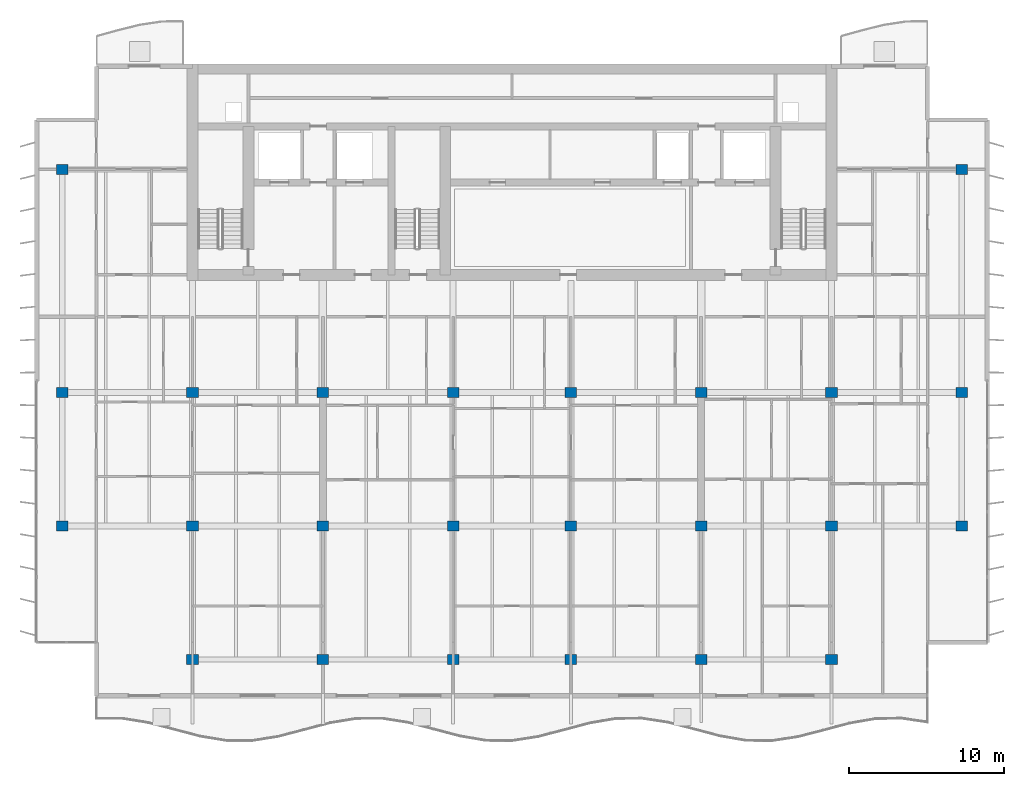
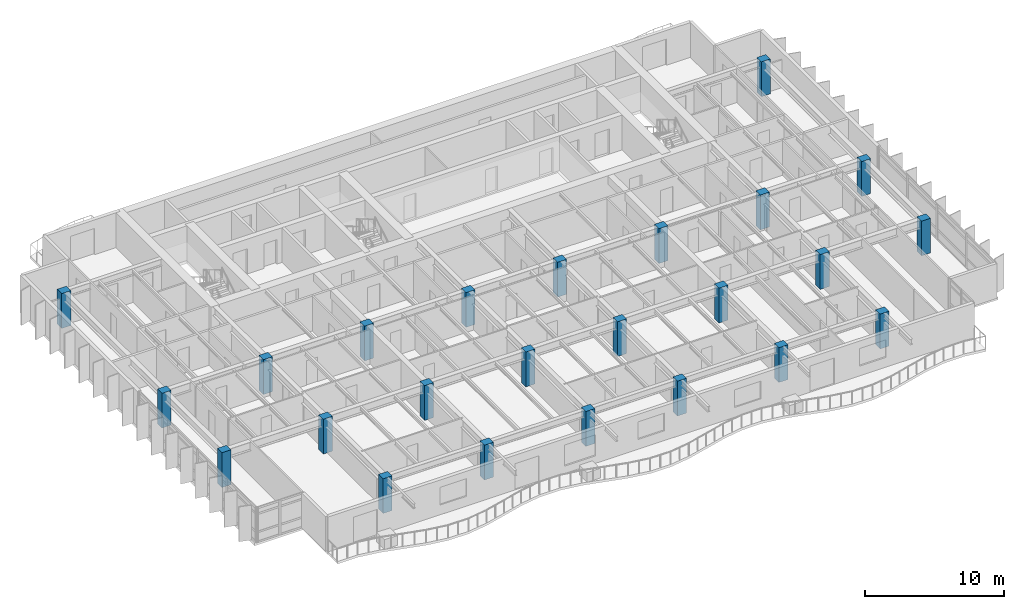
# One storey, part 1 of 19: 24 columns.
"""IFC4 building model written with IfcOpenShell, lengths in metres."""

from ifc_helpers import new_model, si_unit, direction, frame, origin, origin_2d, place, context, subcontext, project, spatial, rectangle, extrude, material, material_profile, profile_set, type_object, element, save


model = new_model("IFC4")

# Units and contexts
model_context = context("Model", 3, precision=1e-05, world=origin(), true_north=direction((0.0, 1.0)))
body_context = subcontext(model_context, "Body", "Model", "MODEL_VIEW")
ifc_project = project(units=[si_unit("LENGTHUNIT", "METRE"), si_unit("AREAUNIT", "SQUARE_METRE"), si_unit("VOLUMEUNIT", "CUBIC_METRE"), si_unit("PLANEANGLEUNIT", "RADIAN"), si_unit("MASSUNIT", "GRAM", prefix="KILO")], contexts=[model_context])

# Site, building, storey
site_placement = place(None, origin())
site = spatial("IfcSite", under=ifc_project, at=site_placement, CompositionType="ELEMENT")
building_placement = place(site_placement, origin())
building = spatial("IfcBuilding", under=site, at=building_placement, Name="Caelmar Bay Residences", CompositionType="ELEMENT")
storey_placement = place(building_placement, frame((0.0, 0.0, 256.199951171875)))
storey = spatial("IfcBuildingStorey", under=building, at=storey_placement, Name="L72", CompositionType="ELEMENT", Elevation=256.199951171875)

# Columns
ifc_material = material(Name="Concrete f'c 55 MPa (8,000 psi)", Category="concrete")
ifc_material_profile = material_profile(ifc_material, rectangle(XDim=0.75, YDim=0.64990234375, at=origin_2d()), Name="RC-COL-750X650")
ifc_profile_set = profile_set([ifc_material_profile], Name="Concrete f'c 55 MPa (8,000 psi)")
column_type = type_object("IfcColumnType", Name="COL-RC-750X650", PredefinedType="COLUMN", material=ifc_profile_set)
for number, where, z_axis, x_axis, name in (
    (1, (18.300048828125, 12.199951171875, 0.0), (0.0, 0.0, 1.0), (1.0, 0.0, 0.0), "L72 Column (18.30,12.20)"),
    (2, (26.699951171875, 12.199951171875, 0.0), (0.0, 0.0, 1.0), (1.0, 0.0, 0.0), "L72 Column (26.70,12.20)"),
    (3, (35.10009765625, 12.199951171875, 0.0), (0.0, 0.0, 1.0), (1.0, 0.0, 0.0), "L72 Column (35.10,12.20)"),
    (4, (42.699951171875, 12.199951171875, 0.0), (0.0, 0.0, 1.0), (1.0, 0.0, 0.0), "L72 Column (42.70,12.20)"),
    (5, (51.10009765625, 12.199951171875, 0.0), (0.0, 0.0, 1.0), (1.0, 0.0, 0.0), "L72 Column (51.10,12.20)"),
    (6, (59.5, 12.199951171875, 0.0), (0.0, 0.0, 1.0), (1.0, 0.0, 0.0), "L72 Column (59.50,12.20)"),
    (7, (9.89990234375, 20.800048828125, 0.0), (0.0, 0.0, 1.0), (1.0, 0.0, 0.0), "L72 Column (9.90,20.80)"),
    (8, (18.300048828125, 20.800048828125, 0.0), (0.0, 0.0, 1.0), (1.0, 0.0, 0.0), "L72 Column (18.30,20.80)"),
    (9, (26.699951171875, 20.800048828125, 0.0), (0.0, 0.0, 1.0), (1.0, 0.0, 0.0), "L72 Column (26.70,20.80)"),
    (10, (35.10009765625, 20.800048828125, 0.0), (0.0, 0.0, 1.0), (1.0, 0.0, 0.0), "L72 Column (35.10,20.80)"),
    (11, (42.699951171875, 20.800048828125, 0.0), (0.0, 0.0, 1.0), (1.0, 0.0, 0.0), "L72 Column (42.70,20.80)"),
    (12, (51.10009765625, 20.800048828125, 0.0), (0.0, 0.0, 1.0), (1.0, 0.0, 0.0), "L72 Column (51.10,20.80)"),
    (13, (59.5, 20.800048828125, 0.0), (0.0, 0.0, 1.0), (1.0, 0.0, 0.0), "L72 Column (59.50,20.80)"),
    (14, (67.89990234375, 20.800048828125, 0.0), (0.0, 0.0, 1.0), (1.0, 0.0, 0.0), "L72 Column (67.90,20.80)"),
    (15, (9.89990234375, 29.39990234375, 0.0), (0.0, 0.0, 1.0), (1.0, 0.0, 0.0), "L72 Column (9.90,29.40)"),
    (16, (18.300048828125, 29.39990234375, 0.0), (0.0, 0.0, 1.0), (1.0, 0.0, 0.0), "L72 Column (18.30,29.40)"),
    (17, (26.699951171875, 29.39990234375, 0.0), (0.0, 0.0, 1.0), (1.0, 0.0, 0.0), "L72 Column (26.70,29.40)"),
    (18, (35.10009765625, 29.39990234375, 0.0), (0.0, 0.0, 1.0), (1.0, 0.0, 0.0), "L72 Column (35.10,29.40)"),
    (19, (42.699951171875, 29.39990234375, 0.0), (0.0, 0.0, 1.0), (1.0, 0.0, 0.0), "L72 Column (42.70,29.40)"),
    (20, (51.10009765625, 29.39990234375, 0.0), (0.0, 0.0, 1.0), (1.0, 0.0, 0.0), "L72 Column (51.10,29.40)"),
    (21, (59.5, 29.39990234375, 0.0), (0.0, 0.0, 1.0), (1.0, 0.0, 0.0), "L72 Column (59.50,29.40)"),
    (22, (67.89990234375, 29.39990234375, 0.0), (0.0, 0.0, 1.0), (1.0, 0.0, 0.0), "L72 Column (67.90,29.40)"),
    (23, (9.89990234375, 43.800048828125, 0.0), (0.0, 0.0, 1.0), (1.0, 0.0, 0.0), "L72 Column (9.90,43.80)"),
    (24, (67.89990234375, 43.800048828125, 0.0), (0.0, 0.0, 1.0), (1.0, 0.0, 0.0), "L72 Column (67.90,43.80)"),
):
    element("IfcColumn", number, at=place(storey_placement, frame(where, z_axis=z_axis, x_axis=x_axis)), inside=storey, type_object=column_type, Name=name, PredefinedType="COLUMN", context=body_context, shape_type="SweptSolid", body=[
        extrude(rectangle(XDim=0.75, YDim=0.64990234375, at=origin_2d()), origin(), (0.0, 0.0, 1.0), 3.050048828125),
    ])

save(model, "model.ifc")
